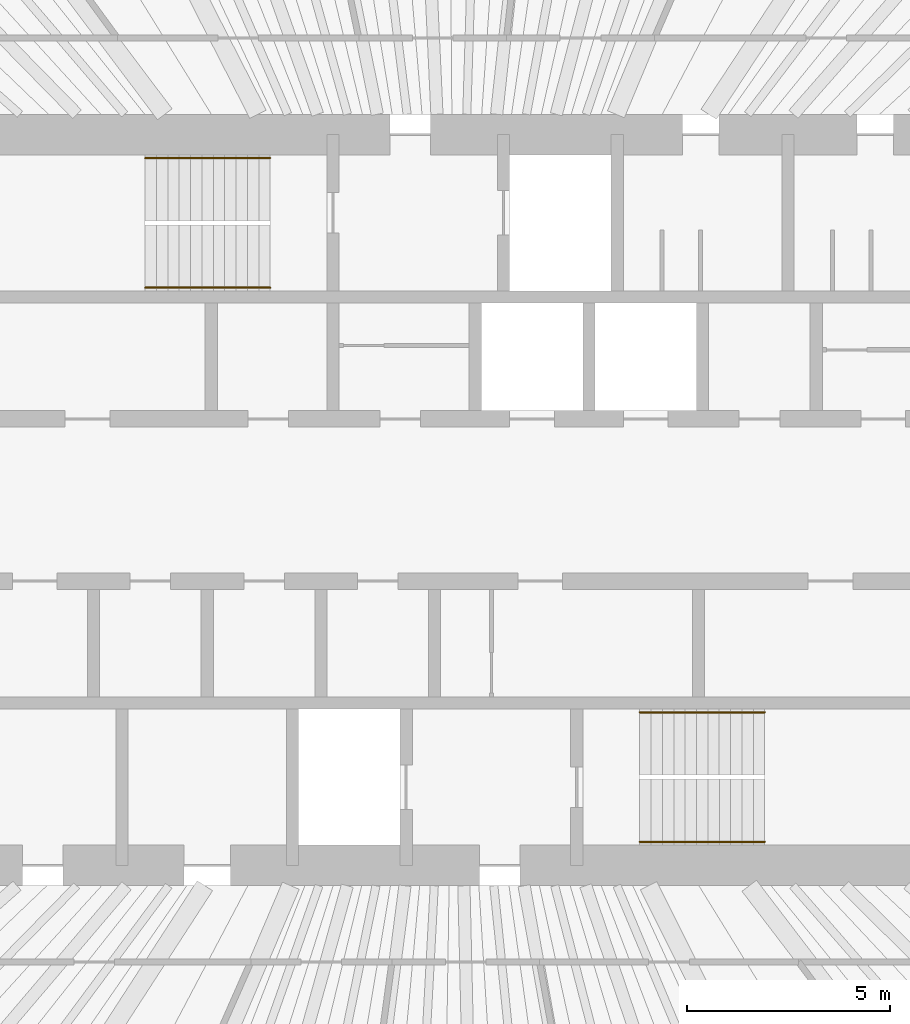
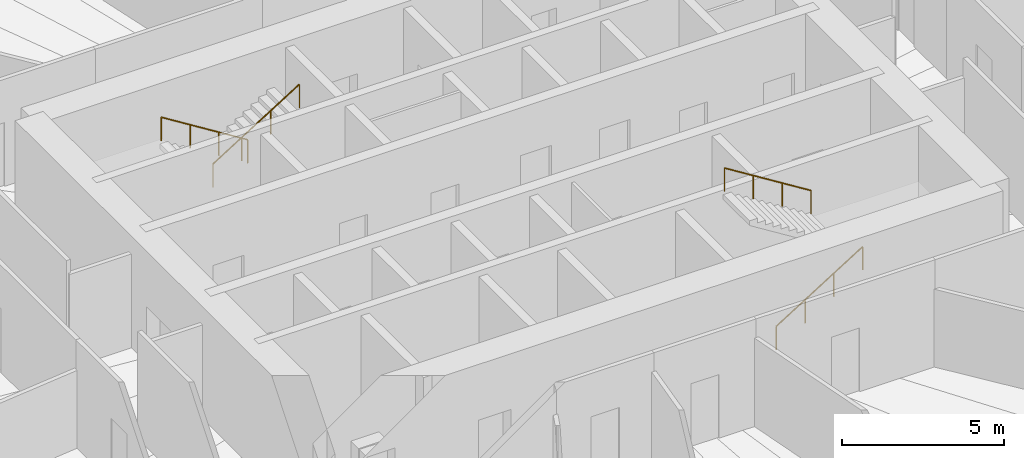
# One storey, part 14 of 14: 4 railings.
"""IFC4 building model written with IfcOpenShell, lengths in metres."""

from ifc_helpers import new_model, si_unit, direction, frame, origin, origin_2d, place, context, subcontext, project, spatial, circle, extrude, material, type_object, element, save


model = new_model("IFC4")

# Units and contexts
model_context = context("Model", 3, precision=1e-05, world=origin(), true_north=direction((0.0, 1.0)))
body_context = subcontext(model_context, "Body", "Model", "MODEL_VIEW")
ifc_project = project(units=[si_unit("LENGTHUNIT", "METRE"), si_unit("AREAUNIT", "SQUARE_METRE"), si_unit("VOLUMEUNIT", "CUBIC_METRE"), si_unit("PLANEANGLEUNIT", "RADIAN"), si_unit("MASSUNIT", "GRAM", prefix="KILO")], contexts=[model_context])

# Site, building, storey
site_placement = place(None, origin())
site = spatial("IfcSite", under=ifc_project, at=site_placement, CompositionType="ELEMENT")
building_placement = place(site_placement, origin())
building = spatial("IfcBuilding", under=site, at=building_placement, Name="Qingtian Harvest Tower", CompositionType="ELEMENT")
storey_placement = place(building_placement, frame((0.0, 0.0, 278.800048828125)))
storey = spatial("IfcBuildingStorey", under=building, at=storey_placement, Name="L61", CompositionType="ELEMENT", Elevation=278.800048828125)

# Railings
ifc_material = material(Name="Stainless steel handrail", Category="steel")
railing_type = type_object("IfcRailingType", Name="Handrail HR1", PredefinedType="HANDRAIL", material=ifc_material)
railing_1_placement = place(storey_placement, frame((-4.550048828125, 8.419921875, 0.175048828125)))
element("IfcRailing", 1, at=railing_1_placement, inside=storey, type_object=railing_type, Name="Handrail HR1 S1 flight 1", PredefinedType="HANDRAIL", context=body_context, shape_type="SweptSolid", body=[
    extrude(circle(Radius=0.02392578125, at=origin_2d()), frame((0.0, 0.0, 0.8759765625), z_axis=(-0.848009633417, 0.0, 0.529980812513), x_axis=(0.0, -1.0, 0.0)), (0.0, 0.0, 1.0), 3.6318359375),
    extrude(circle(Radius=0.02099609375, at=origin_2d()), origin(), (0.0, 0.0, 1.0), 0.851806640625),
    extrude(circle(Radius=0.02099609375, at=origin_2d()), frame((-1.026611328125, 0.0, 0.6416015625)), (0.0, 0.0, 1.0), 0.851806640625),
    extrude(circle(Radius=0.02099609375, at=origin_2d()), frame((-2.05322265625, 0.0, 1.283203125)), (0.0, 0.0, 1.0), 0.851806640625),
    extrude(circle(Radius=0.02099609375, at=origin_2d()), frame((-3.079833984375, 0.0, 1.9248046875)), (0.0, 0.0, 1.0), 0.851806640625),
])
railing_2_placement = place(storey_placement, frame((-7.6298828125, 5.22998046875, 2.27490234375)))
element("IfcRailing", 2, at=railing_2_placement, inside=storey, type_object=railing_type, Name="Handrail HR1 S1 flight 2", PredefinedType="HANDRAIL", context=body_context, shape_type="SweptSolid", body=[
    extrude(circle(Radius=0.02392578125, at=origin_2d()), frame((0.0, 0.0, 0.8759765625), z_axis=(0.847979421464, 0.0, 0.530029150871), x_axis=(0.0, 1.0, 0.0)), (0.0, 0.0, 1.0), 3.632080078125),
    extrude(circle(Radius=0.02099609375, at=origin_2d()), origin(), (0.0, 0.0, 1.0), 0.851806640625),
    extrude(circle(Radius=0.02099609375, at=origin_2d()), frame((1.026611328125, 0.0, 0.6416015625)), (0.0, 0.0, 1.0), 0.851806640625),
    extrude(circle(Radius=0.02099609375, at=origin_2d()), frame((2.05322265625, 0.0, 1.283447265625)), (0.0, 0.0, 1.0), 0.851806640625),
    extrude(circle(Radius=0.02099609375, at=origin_2d()), frame((3.079833984375, 0.0, 1.925048828125)), (0.0, 0.0, 1.0), 0.851806640625),
])
railing_3_placement = place(storey_placement, frame((4.550048828125, -8.419921875, 0.175048828125)))
element("IfcRailing", 3, at=railing_3_placement, inside=storey, type_object=railing_type, Name="Handrail HR1 S2 flight 1", PredefinedType="HANDRAIL", context=body_context, shape_type="SweptSolid", body=[
    extrude(circle(Radius=0.02392578125, at=origin_2d()), frame((0.0, 0.0, 0.8759765625), z_axis=(0.848009633417, 0.0, 0.529980812513), x_axis=(0.0, 1.0, 0.0)), (0.0, 0.0, 1.0), 3.6318359375),
    extrude(circle(Radius=0.02099609375, at=origin_2d()), origin(), (0.0, 0.0, 1.0), 0.851806640625),
    extrude(circle(Radius=0.02099609375, at=origin_2d()), frame((1.026611328125, 0.0, 0.6416015625)), (0.0, 0.0, 1.0), 0.851806640625),
    extrude(circle(Radius=0.02099609375, at=origin_2d()), frame((2.05322265625, 0.0, 1.283203125)), (0.0, 0.0, 1.0), 0.851806640625),
    extrude(circle(Radius=0.02099609375, at=origin_2d()), frame((3.079833984375, 0.0, 1.9248046875)), (0.0, 0.0, 1.0), 0.851806640625),
])
railing_4_placement = place(storey_placement, frame((7.6298828125, -5.22998046875, 2.27490234375)))
element("IfcRailing", 4, at=railing_4_placement, inside=storey, type_object=railing_type, Name="Handrail HR1 S2 flight 2", PredefinedType="HANDRAIL", context=body_context, shape_type="SweptSolid", body=[
    extrude(circle(Radius=0.02392578125, at=origin_2d()), frame((0.0, 0.0, 0.8759765625), z_axis=(-0.847979421464, 0.0, 0.530029150871), x_axis=(0.0, -1.0, 0.0)), (0.0, 0.0, 1.0), 3.632080078125),
    extrude(circle(Radius=0.02099609375, at=origin_2d()), origin(), (0.0, 0.0, 1.0), 0.851806640625),
    extrude(circle(Radius=0.02099609375, at=origin_2d()), frame((-1.026611328125, 0.0, 0.6416015625)), (0.0, 0.0, 1.0), 0.851806640625),
    extrude(circle(Radius=0.02099609375, at=origin_2d()), frame((-2.05322265625, 0.0, 1.283447265625)), (0.0, 0.0, 1.0), 0.851806640625),
    extrude(circle(Radius=0.02099609375, at=origin_2d()), frame((-3.079833984375, 0.0, 1.925048828125)), (0.0, 0.0, 1.0), 0.851806640625),
])

save(model, "model.ifc")
